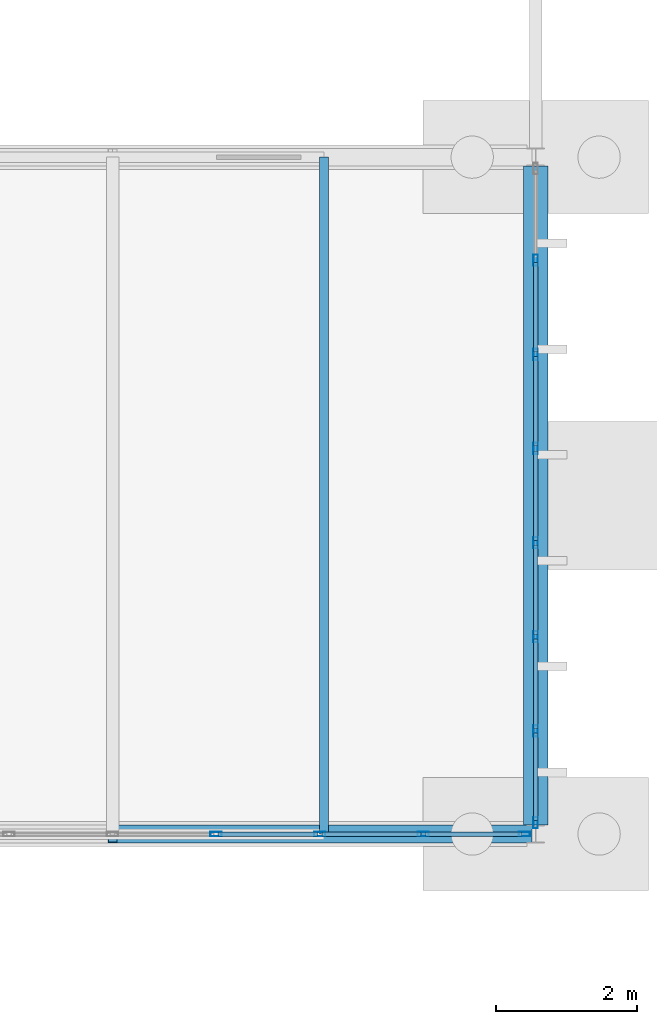
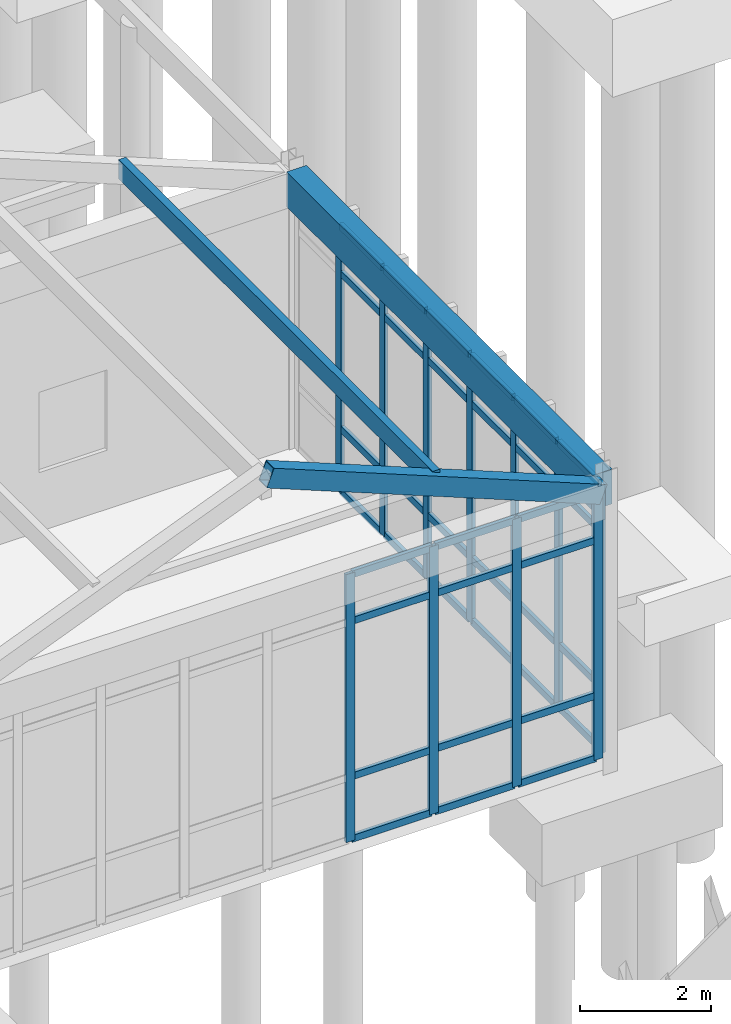
# One storey, part 47 of 188: 49 members, 1 beam, 2 elements without a shape of their own.
"""IFC4 building model written with IfcOpenShell, lengths in metres."""

import ifcopenshell
import ifcopenshell.guid

model = None  # the IFC model being written
_history = None  # IfcOwnerHistory: only IFC2X3 demands one
_inside = {}  # id of a spatial element -> (the spatial element, [elements in it])
_under = {}  # id of a project, library or spatial element -> (it, [spatial elements below it])
_declared = {}  # id of a project -> (the project, [libraries it declares])
_typed = {}  # id of a type object -> (the type object, [elements of that type])
_made_of = {}  # id of a material, layer set ... -> (it, [elements and type objects made of it])


def new_model(schema):
    """Start an empty IFC model of exactly this schema.

    Asked for "IFC4X3", IfcOpenShell would pick the latest addendum, in which some entities
    have other attributes; the version numbers below select the first issue.
    IFC2X3 requires an IfcOwnerHistory on every rooted entity: one is made here for all.
    """
    global model, _history
    if schema == "IFC4X3":
        model = ifcopenshell.file(schema_version=(4, 3, 0, 0))
    else:
        model = ifcopenshell.file(schema=schema)
    _inside.clear()
    _under.clear()
    _declared.clear()
    _typed.clear()
    _made_of.clear()
    _history = None
    if model.schema == "IFC2X3":
        org = make("IfcOrganization", Name="unknown")
        user = make(
            "IfcPersonAndOrganization",
            ThePerson=make("IfcPerson", FamilyName="unknown"),
            TheOrganization=org,
        )
        app = make(
            "IfcApplication",
            ApplicationDeveloper=org,
            Version="unknown",
            ApplicationFullName="unknown",
            ApplicationIdentifier="unknown",
        )
        _history = make(
            "IfcOwnerHistory",
            OwningUser=user,
            OwningApplication=app,
            ChangeAction="ADDED",
            CreationDate=0,
        )
    return model


def make(cls, **values):
    """One entity of the class cls with the attributes given. An attribute that is None is left unset."""
    return model.create_entity(
        cls, **{name: value for name, value in values.items() if value is not None}
    )


def rooted(cls, **values):
    """An entity with a GlobalId (a new one), such as an element, a storey or a relation."""
    return make(cls, GlobalId=ifcopenshell.guid.new(), OwnerHistory=_history, **values)


def si_unit(unit_type, name, prefix=None):
    """IfcSIUnit, for example si_unit("LENGTHUNIT", "METRE", prefix="MILLI")."""
    return make("IfcSIUnit", UnitType=unit_type, Prefix=prefix, Name=name)


def assignment(units):
    """IfcUnitAssignment: the units of a project."""
    return None if units is None else make("IfcUnitAssignment", Units=units)


def point(xyz):
    """IfcCartesianPoint."""
    return None if xyz is None else make("IfcCartesianPoint", Coordinates=xyz)


def direction(xyz):
    """IfcDirection."""
    return None if xyz is None else make("IfcDirection", DirectionRatios=xyz)


def frame(location, z_axis=None, x_axis=None):
    """IfcAxis2Placement3D, a coordinate frame: its origin and axes. An axis left out is left unset."""
    return make(
        "IfcAxis2Placement3D",
        Location=point(location),
        Axis=direction(z_axis),
        RefDirection=direction(x_axis),
    )


def frame_2d(location, x_axis=None):
    """IfcAxis2Placement2D, a coordinate frame in the plane: its origin and x axis."""
    return make(
        "IfcAxis2Placement2D", Location=point(location), RefDirection=direction(x_axis)
    )


def origin():
    """The frame at (0, 0, 0) with its axes left unset."""
    return frame((0.0, 0.0, 0.0))


def origin_2d():
    """The frame at (0, 0) in the plane with its x axis left unset."""
    return frame_2d((0.0, 0.0))


def place(relative_to, where):
    """IfcLocalPlacement: puts the frame where relative to a parent placement (None: the world)."""
    return make(
        "IfcLocalPlacement", PlacementRelTo=relative_to, RelativePlacement=where
    )


def context(
    kind, dimensions, precision=None, world=None, true_north=None, identifier=None
):
    """IfcGeometricRepresentationContext, for example the 3D "Model" context."""
    return make(
        "IfcGeometricRepresentationContext",
        ContextIdentifier=identifier,
        ContextType=kind,
        CoordinateSpaceDimension=dimensions,
        Precision=precision,
        WorldCoordinateSystem=world,
        TrueNorth=true_north,
    )


def subcontext(parent, identifier, kind, view, scale=None):
    """IfcGeometricRepresentationSubContext, for example "Body" below "Model"."""
    return make(
        "IfcGeometricRepresentationSubContext",
        ContextIdentifier=identifier,
        ContextType=kind,
        ParentContext=parent,
        TargetScale=scale,
        TargetView=view,
    )


def project(units=None, contexts=None):
    """IfcProject with its units and contexts."""
    return rooted(
        "IfcProject",
        Name="project",
        RepresentationContexts=contexts,
        UnitsInContext=assignment(units),
    )


def spatial(cls, under=None, at=None, **own):
    """A site, building, storey or space (cls), placed at a placement, below another one or the project."""
    s = rooted(cls, ObjectPlacement=at, **own)
    if under is not None:
        _under.setdefault(under.id(), (under, []))[1].append(s)
    return s


def profile(cls, at=None, kind="AREA", **sizes):
    """A parametric profile (cls). Its sizes go by their IFC names, for example OverallWidth=200.0."""
    return make(cls, ProfileType=kind, Position=at, **sizes)


def rectangle(**sizes):
    """IfcRectangleProfileDef."""
    return profile("IfcRectangleProfileDef", **sizes)


def hollow_rectangle(**sizes):
    """IfcRectangleHollowProfileDef."""
    return profile("IfcRectangleHollowProfileDef", **sizes)


def extrude(swept, where, along, depth):
    """IfcExtrudedAreaSolid: the profile swept, set in the frame where, extruded along a direction by depth."""
    return make(
        "IfcExtrudedAreaSolid",
        SweptArea=swept,
        Position=where,
        ExtrudedDirection=direction(along),
        Depth=depth,
    )


def shape(context_of_items, identifier, shape_type, items):
    """IfcShapeRepresentation: the items that make up one representation, for example the "Body"."""
    return make(
        "IfcShapeRepresentation",
        ContextOfItems=context_of_items,
        RepresentationIdentifier=identifier,
        RepresentationType=shape_type,
        Items=items,
    )


def material(Name=None, Category=None):
    """IfcMaterial."""
    return make("IfcMaterial", Name=Name, Category=Category)


def layer(
    of_material, thickness, ventilated=None, Name=None, Category=None, Priority=None
):
    """IfcMaterialLayer: one layer of a wall or slab, of a material (None: an air gap)."""
    return make(
        "IfcMaterialLayer",
        Material=of_material,
        LayerThickness=thickness,
        IsVentilated=ventilated,
        Name=Name,
        Category=Category,
        Priority=Priority,
    )


def layer_set(layers, Name=None):
    """IfcMaterialLayerSet."""
    return make("IfcMaterialLayerSet", MaterialLayers=layers, LayerSetName=Name)


def material_profile(
    of_material, cross_section, Name=None, Category=None, Priority=None
):
    """IfcMaterialProfile: a cross section and its material."""
    return make(
        "IfcMaterialProfile",
        Name=Name,
        Material=of_material,
        Profile=cross_section,
        Priority=Priority,
        Category=Category,
    )


def profile_set(profiles, Name=None, composite=None):
    """IfcMaterialProfileSet."""
    return make(
        "IfcMaterialProfileSet",
        Name=Name,
        MaterialProfiles=profiles,
        CompositeProfile=composite,
    )


def made_of(thing, what):
    """Note that an element or type object is made of a material, layer set ...; save() writes the relation."""
    if what is not None:
        _made_of.setdefault(what.id(), (what, []))[1].append(thing)
    return thing


def type_object(cls, material=None, **own):
    """A type object (cls), such as IfcWallType, which elements share."""
    return made_of(rooted(cls, **own), material)


def element(
    cls,
    number,
    at=None,
    inside=None,
    cuts=None,
    type_object=None,
    material=None,
    context=None,
    identifier="Body",
    shape_type=None,
    held_by="IfcProductDefinitionShape",
    body=None,
    shapes=None,
    **own,
):
    """One element of the class cls, such as IfcWall. Its Tag is "e" and its number.

    at: its placement. inside: the storey or other place that contains it. cuts: it is an
    opening in that element (IfcRelVoidsElement). A single representation is given by context,
    identifier, shape_type and body (its items); several are given by shapes. held_by: the class
    of the entity that holds the representations. save() writes the other relations.
    """
    e = rooted(cls, Tag="e%d" % number, ObjectPlacement=at, **own)
    if body is not None:
        shapes = [shape(context, identifier, shape_type, body)]
    if shapes is not None:
        e.Representation = make(held_by, Representations=shapes)
    if inside is not None:
        _inside.setdefault(inside.id(), (inside, []))[1].append(e)
    if cuts is not None:
        rooted(
            "IfcRelVoidsElement", RelatingBuildingElement=cuts, RelatedOpeningElement=e
        )
    if type_object is not None:
        _typed.setdefault(type_object.id(), (type_object, []))[1].append(e)
    return made_of(e, material)


def aggregate(whole, parts):
    """IfcRelAggregates: a whole, such as a stair, and the parts it consists of."""
    return rooted("IfcRelAggregates", RelatingObject=whole, RelatedObjects=parts)


def save(model, path):
    """Write the relations noted so far, then the file.

    IfcRelAggregates (storeys below a building ...), IfcRelContainedInSpatialStructure (elements
    in a storey), IfcRelDefinesByType, IfcRelAssociatesMaterial and IfcRelDeclares: one each for
    every whole, place, type object, material and project.
    """
    for whole, parts in _under.values():
        aggregate(whole, parts)
    for where, things in _inside.values():
        rooted(
            "IfcRelContainedInSpatialStructure",
            RelatedElements=things,
            RelatingStructure=where,
        )
    for kind, things in _typed.values():
        rooted("IfcRelDefinesByType", RelatedObjects=things, RelatingType=kind)
    for what, things in _made_of.values():
        rooted("IfcRelAssociatesMaterial", RelatedObjects=things, RelatingMaterial=what)
    for by, libraries in _declared.values():
        rooted("IfcRelDeclares", RelatingContext=by, RelatedDefinitions=libraries)
    model.write(path)


model = new_model("IFC4")

# Units and contexts
model_context = context("Model", 3, precision=1e-05, world=origin(), true_north=direction((0.0, 1.0)))
body_context = subcontext(model_context, "Body", "Model", "MODEL_VIEW")
ifc_project = project(units=[si_unit("LENGTHUNIT", "METRE"), si_unit("AREAUNIT", "SQUARE_METRE"), si_unit("VOLUMEUNIT", "CUBIC_METRE"), si_unit("PLANEANGLEUNIT", "RADIAN"), si_unit("MASSUNIT", "GRAM", prefix="KILO")], contexts=[model_context])

# Site, building, storey
site_placement = place(None, origin())
site = spatial("IfcSite", under=ifc_project, at=site_placement, CompositionType="ELEMENT")
building_placement = place(site_placement, origin())
building = spatial("IfcBuilding", under=site, at=building_placement, Name="Pandanus Reach Market Hall", CompositionType="ELEMENT")
storey_placement = place(building_placement, origin())
storey = spatial("IfcBuildingStorey", under=building, at=storey_placement, Name="L00", CompositionType="ELEMENT", Elevation=0.0)

# Beam
ifc_material_1 = material(Name="Concrete N40 (40 MPa)", Category="concrete")
ifc_material_profile_1 = material_profile(ifc_material_1, rectangle(XDim=0.35009765625, YDim=0.64990234375, at=origin_2d()), Name="RC350x650", Category="LoadBearing")
ifc_profile_set_1 = profile_set([ifc_material_profile_1], Name="Concrete N40 (40 MPa)")
beam_type = type_object("IfcBeamType", Name="BM-RC350-E", PredefinedType="SPANDREL", material=ifc_profile_set_1)
beam_placement = place(storey_placement, frame((36.0, 38.52490234375, 4.8798828125), z_axis=(0.0, 1.0, 0.0), x_axis=(-1.0, 0.0, 0.0)))
element("IfcBeam", 1, at=beam_placement, inside=storey, type_object=beam_type, Name="Framing beam BM-RC350-E L00.1159", PredefinedType="SPANDREL", context=body_context, shape_type="SweptSolid", body=[
    extrude(rectangle(XDim=0.35009765625, YDim=0.64990234375, at=origin_2d()), origin(), (0.0, 0.0, 1.0), 9.35009765625),
])

# Curtain wall, members
ifc_material_2 = material(Name="Bronze anodised aluminium and low-E glass", Category="aluminium")
ifc_layer_1 = layer(ifc_material_2, 0.159912109375, Name="CW-07")
ifc_layer_set_1 = layer_set([ifc_layer_1], Name="Bronze anodised aluminium and low-E glass")
curtain_wall_type_1 = type_object("IfcCurtainWallType", Name="CW-07", PredefinedType="NOTDEFINED", material=ifc_layer_set_1)
curtain_wall_1_placement = place(storey_placement, origin())
curtain_wall_1 = element("IfcCurtainWall", 2, at=curtain_wall_1_placement, inside=storey, type_object=curtain_wall_type_1, Name="Glazed curtain wall CW-07 CW-0039", PredefinedType="NOTDEFINED")
ifc_material_3 = material(Name="Bronze anodised aluminium", Category="aluminium")
ifc_material_profile_2 = material_profile(ifc_material_3, hollow_rectangle(XDim=0.06494140625, YDim=0.159912109375, WallThickness=0.00390625, at=origin_2d()), Name="ALU65x160", Category="LoadBearing")
ifc_profile_set_2 = profile_set([ifc_material_profile_2], Name="Bronze anodised aluminium")
member_type_1 = type_object("IfcMemberType", Name="CW-M1", PredefinedType="MULLION", material=ifc_profile_set_2)
member_1_placement = place(storey_placement, frame((31.46826171875, 38.39990234375, 0.0), z_axis=(0.0, 0.0, 1.0), x_axis=(0.0, 1.0, 0.0)))
member_1 = element("IfcMember", 3, at=member_1_placement, type_object=member_type_1, Name="CW-07 mullion 6", PredefinedType="MULLION", context=body_context, shape_type="SweptSolid", body=[
    extrude(hollow_rectangle(XDim=0.06494140625, YDim=0.159912109375, WallThickness=0.00390625, at=origin_2d()), origin(), (0.0, 0.0, 1.0), 5.0),
])
member_2_placement = place(storey_placement, frame((32.9365234375, 38.39990234375, 0.0), z_axis=(0.0, 0.0, 1.0), x_axis=(0.0, 1.0, 0.0)))
member_2 = element("IfcMember", 4, at=member_2_placement, type_object=member_type_1, Name="CW-07 mullion 7", PredefinedType="MULLION", context=body_context, shape_type="SweptSolid", body=[
    extrude(hollow_rectangle(XDim=0.06494140625, YDim=0.159912109375, WallThickness=0.00390625, at=origin_2d()), origin(), (0.0, 0.0, 1.0), 5.0),
])
member_3_placement = place(storey_placement, frame((34.40478515625, 38.39990234375, 0.0), z_axis=(0.0, 0.0, 1.0), x_axis=(0.0, 1.0, 0.0)))
member_3 = element("IfcMember", 5, at=member_3_placement, type_object=member_type_1, Name="CW-07 mullion 8", PredefinedType="MULLION", context=body_context, shape_type="SweptSolid", body=[
    extrude(hollow_rectangle(XDim=0.06494140625, YDim=0.159912109375, WallThickness=0.00390625, at=origin_2d()), origin(), (0.0, 0.0, 1.0), 5.0),
])
member_4_placement = place(storey_placement, frame((35.840576171875, 38.39990234375, 0.0), z_axis=(0.0, 0.0, 1.0), x_axis=(0.0, 1.0, 0.0)))
member_4 = element("IfcMember", 6, at=member_4_placement, type_object=member_type_1, Name="CW-07 mullion 9", PredefinedType="MULLION", context=body_context, shape_type="SweptSolid", body=[
    extrude(hollow_rectangle(XDim=0.06494140625, YDim=0.159912109375, WallThickness=0.00390625, at=origin_2d()), origin(), (0.0, 0.0, 1.0), 5.0),
])

ifc_layer_2 = layer(ifc_material_2, 0.159912109375, Name="CW-08")
ifc_layer_set_2 = layer_set([ifc_layer_2], Name="Bronze anodised aluminium and low-E glass")
curtain_wall_type_2 = type_object("IfcCurtainWallType", Name="CW-08", PredefinedType="NOTDEFINED", material=ifc_layer_set_2)
curtain_wall_2_placement = place(storey_placement, origin())
curtain_wall_2 = element("IfcCurtainWall", 7, at=curtain_wall_2_placement, inside=storey, type_object=curtain_wall_type_2, Name="Glazed curtain wall CW-08 CW-0040", PredefinedType="NOTDEFINED")
member_5_placement = place(storey_placement, frame((36.0, 38.5595703125, 0.0), z_axis=(0.0, 0.0, 1.0), x_axis=(-1.0, 0.0, 0.0)))
member_5 = element("IfcMember", 8, at=member_5_placement, type_object=member_type_1, Name="CW-08 mullion 1", PredefinedType="MULLION", context=body_context, shape_type="SweptSolid", body=[
    extrude(hollow_rectangle(XDim=0.06494140625, YDim=0.159912109375, WallThickness=0.00390625, at=origin_2d()), origin(), (0.0, 0.0, 1.0), 5.0),
])
member_6_placement = place(storey_placement, frame((36.0, 39.862060546875, 0.0), z_axis=(0.0, 0.0, 1.0), x_axis=(-1.0, 0.0, 0.0)))
member_6 = element("IfcMember", 9, at=member_6_placement, type_object=member_type_1, Name="CW-08 mullion 2", PredefinedType="MULLION", context=body_context, shape_type="SweptSolid", body=[
    extrude(hollow_rectangle(XDim=0.06494140625, YDim=0.159912109375, WallThickness=0.00390625, at=origin_2d()), origin(), (0.0, 0.0, 1.0), 5.0),
])
member_7_placement = place(storey_placement, frame((36.0, 41.197265625, 0.0), z_axis=(0.0, 0.0, 1.0), x_axis=(-1.0, 0.0, 0.0)))
member_7 = element("IfcMember", 10, at=member_7_placement, type_object=member_type_1, Name="CW-08 mullion 3", PredefinedType="MULLION", context=body_context, shape_type="SweptSolid", body=[
    extrude(hollow_rectangle(XDim=0.06494140625, YDim=0.159912109375, WallThickness=0.00390625, at=origin_2d()), origin(), (0.0, 0.0, 1.0), 5.0),
])
member_8_placement = place(storey_placement, frame((36.0, 42.532470703125, 0.0), z_axis=(0.0, 0.0, 1.0), x_axis=(-1.0, 0.0, 0.0)))
member_8 = element("IfcMember", 11, at=member_8_placement, type_object=member_type_1, Name="CW-08 mullion 4", PredefinedType="MULLION", context=body_context, shape_type="SweptSolid", body=[
    extrude(hollow_rectangle(XDim=0.06494140625, YDim=0.159912109375, WallThickness=0.00390625, at=origin_2d()), origin(), (0.0, 0.0, 1.0), 5.0),
])
member_9_placement = place(storey_placement, frame((36.0, 43.86767578125, 0.0), z_axis=(0.0, 0.0, 1.0), x_axis=(-1.0, 0.0, 0.0)))
member_9 = element("IfcMember", 12, at=member_9_placement, type_object=member_type_1, Name="CW-08 mullion 5", PredefinedType="MULLION", context=body_context, shape_type="SweptSolid", body=[
    extrude(hollow_rectangle(XDim=0.06494140625, YDim=0.159912109375, WallThickness=0.00390625, at=origin_2d()), origin(), (0.0, 0.0, 1.0), 5.0),
])
member_10_placement = place(storey_placement, frame((36.0, 45.20263671875, 0.0), z_axis=(0.0, 0.0, 1.0), x_axis=(-1.0, 0.0, 0.0)))
member_10 = element("IfcMember", 13, at=member_10_placement, type_object=member_type_1, Name="CW-08 mullion 6", PredefinedType="MULLION", context=body_context, shape_type="SweptSolid", body=[
    extrude(hollow_rectangle(XDim=0.06494140625, YDim=0.159912109375, WallThickness=0.00390625, at=origin_2d()), origin(), (0.0, 0.0, 1.0), 5.0),
])
member_11_placement = place(storey_placement, frame((36.0, 46.537841796875, 0.0), z_axis=(0.0, 0.0, 1.0), x_axis=(-1.0, 0.0, 0.0)))
member_11 = element("IfcMember", 14, at=member_11_placement, type_object=member_type_1, Name="CW-08 mullion 7", PredefinedType="MULLION", context=body_context, shape_type="SweptSolid", body=[
    extrude(hollow_rectangle(XDim=0.06494140625, YDim=0.159912109375, WallThickness=0.00390625, at=origin_2d()), origin(), (0.0, 0.0, 1.0), 5.0),
])

# Member
ifc_material_profile_3 = material_profile(ifc_material_3, hollow_rectangle(XDim=0.06494140625, YDim=0.1298828125, WallThickness=0.00390625, at=origin_2d()), Name="ALU65x130", Category="LoadBearing")
ifc_profile_set_3 = profile_set([ifc_material_profile_3], Name="Bronze anodised aluminium")
member_type_2 = type_object("IfcMemberType", Name="CW-T1", PredefinedType="USERDEFINED", material=ifc_profile_set_3)
member_12_placement = place(storey_placement, frame((31.500732421875, 38.39990234375, 0.032470703125), z_axis=(1.0, 0.0, 0.0), x_axis=(0.0, 1.0, 0.0)))
member_12 = element("IfcMember", 15, at=member_12_placement, type_object=member_type_2, Name="CW-07 transom 6.1", ObjectType="TRANSOM", PredefinedType="USERDEFINED", context=body_context, shape_type="SweptSolid", body=[
    extrude(hollow_rectangle(XDim=0.06494140625, YDim=0.1298828125, WallThickness=0.00390625, at=origin_2d()), origin(), (0.0, 0.0, 1.0), 1.4033203125),
])

member_13_placement = place(storey_placement, frame((31.500732421875, 38.39990234375, 1.199951171875), z_axis=(1.0, 0.0, 0.0), x_axis=(0.0, 1.0, 0.0)))
member_13 = element("IfcMember", 16, at=member_13_placement, type_object=member_type_2, Name="CW-07 transom 6.2", ObjectType="TRANSOM", PredefinedType="USERDEFINED", context=body_context, shape_type="SweptSolid", body=[
    extrude(hollow_rectangle(XDim=0.06494140625, YDim=0.1298828125, WallThickness=0.00390625, at=origin_2d()), origin(), (0.0, 0.0, 1.0), 1.4033203125),
])

member_14_placement = place(storey_placement, frame((31.500732421875, 38.39990234375, 4.10009765625), z_axis=(1.0, 0.0, 0.0), x_axis=(0.0, 1.0, 0.0)))
member_14 = element("IfcMember", 17, at=member_14_placement, type_object=member_type_2, Name="CW-07 transom 6.3", ObjectType="TRANSOM", PredefinedType="USERDEFINED", context=body_context, shape_type="SweptSolid", body=[
    extrude(hollow_rectangle(XDim=0.06494140625, YDim=0.1298828125, WallThickness=0.00390625, at=origin_2d()), origin(), (0.0, 0.0, 1.0), 1.4033203125),
])

member_15_placement = place(storey_placement, frame((31.500732421875, 38.39990234375, 4.967529296875), z_axis=(1.0, 0.0, 0.0), x_axis=(0.0, 1.0, 0.0)))
member_15 = element("IfcMember", 18, at=member_15_placement, type_object=member_type_2, Name="CW-07 transom 6.4", ObjectType="TRANSOM", PredefinedType="USERDEFINED", context=body_context, shape_type="SweptSolid", body=[
    extrude(hollow_rectangle(XDim=0.06494140625, YDim=0.1298828125, WallThickness=0.00390625, at=origin_2d()), origin(), (0.0, 0.0, 1.0), 1.4033203125),
])

member_16_placement = place(storey_placement, frame((32.968994140625, 38.39990234375, 0.032470703125), z_axis=(1.0, 0.0, 0.0), x_axis=(0.0, 1.0, 0.0)))
member_16 = element("IfcMember", 19, at=member_16_placement, type_object=member_type_2, Name="CW-07 transom 7.1", ObjectType="TRANSOM", PredefinedType="USERDEFINED", context=body_context, shape_type="SweptSolid", body=[
    extrude(hollow_rectangle(XDim=0.06494140625, YDim=0.1298828125, WallThickness=0.00390625, at=origin_2d()), origin(), (0.0, 0.0, 1.0), 1.4033203125),
])

member_17_placement = place(storey_placement, frame((32.968994140625, 38.39990234375, 1.199951171875), z_axis=(1.0, 0.0, 0.0), x_axis=(0.0, 1.0, 0.0)))
member_17 = element("IfcMember", 20, at=member_17_placement, type_object=member_type_2, Name="CW-07 transom 7.2", ObjectType="TRANSOM", PredefinedType="USERDEFINED", context=body_context, shape_type="SweptSolid", body=[
    extrude(hollow_rectangle(XDim=0.06494140625, YDim=0.1298828125, WallThickness=0.00390625, at=origin_2d()), origin(), (0.0, 0.0, 1.0), 1.4033203125),
])

member_18_placement = place(storey_placement, frame((32.968994140625, 38.39990234375, 4.10009765625), z_axis=(1.0, 0.0, 0.0), x_axis=(0.0, 1.0, 0.0)))
member_18 = element("IfcMember", 21, at=member_18_placement, type_object=member_type_2, Name="CW-07 transom 7.3", ObjectType="TRANSOM", PredefinedType="USERDEFINED", context=body_context, shape_type="SweptSolid", body=[
    extrude(hollow_rectangle(XDim=0.06494140625, YDim=0.1298828125, WallThickness=0.00390625, at=origin_2d()), origin(), (0.0, 0.0, 1.0), 1.4033203125),
])

member_19_placement = place(storey_placement, frame((32.968994140625, 38.39990234375, 4.967529296875), z_axis=(1.0, 0.0, 0.0), x_axis=(0.0, 1.0, 0.0)))
member_19 = element("IfcMember", 22, at=member_19_placement, type_object=member_type_2, Name="CW-07 transom 7.4", ObjectType="TRANSOM", PredefinedType="USERDEFINED", context=body_context, shape_type="SweptSolid", body=[
    extrude(hollow_rectangle(XDim=0.06494140625, YDim=0.1298828125, WallThickness=0.00390625, at=origin_2d()), origin(), (0.0, 0.0, 1.0), 1.4033203125),
])

member_20_placement = place(storey_placement, frame((34.437255859375, 38.39990234375, 0.032470703125), z_axis=(1.0, 0.0, 0.0), x_axis=(0.0, 1.0, 0.0)))
member_20 = element("IfcMember", 23, at=member_20_placement, type_object=member_type_2, Name="CW-07 transom 8.1", ObjectType="TRANSOM", PredefinedType="USERDEFINED", context=body_context, shape_type="SweptSolid", body=[
    extrude(hollow_rectangle(XDim=0.06494140625, YDim=0.1298828125, WallThickness=0.00390625, at=origin_2d()), origin(), (0.0, 0.0, 1.0), 1.370849609375),
])

member_21_placement = place(storey_placement, frame((34.437255859375, 38.39990234375, 1.199951171875), z_axis=(1.0, 0.0, 0.0), x_axis=(0.0, 1.0, 0.0)))
member_21 = element("IfcMember", 24, at=member_21_placement, type_object=member_type_2, Name="CW-07 transom 8.2", ObjectType="TRANSOM", PredefinedType="USERDEFINED", context=body_context, shape_type="SweptSolid", body=[
    extrude(hollow_rectangle(XDim=0.06494140625, YDim=0.1298828125, WallThickness=0.00390625, at=origin_2d()), origin(), (0.0, 0.0, 1.0), 1.370849609375),
])

member_22_placement = place(storey_placement, frame((34.437255859375, 38.39990234375, 4.10009765625), z_axis=(1.0, 0.0, 0.0), x_axis=(0.0, 1.0, 0.0)))
member_22 = element("IfcMember", 25, at=member_22_placement, type_object=member_type_2, Name="CW-07 transom 8.3", ObjectType="TRANSOM", PredefinedType="USERDEFINED", context=body_context, shape_type="SweptSolid", body=[
    extrude(hollow_rectangle(XDim=0.06494140625, YDim=0.1298828125, WallThickness=0.00390625, at=origin_2d()), origin(), (0.0, 0.0, 1.0), 1.370849609375),
])

member_23_placement = place(storey_placement, frame((34.437255859375, 38.39990234375, 4.967529296875), z_axis=(1.0, 0.0, 0.0), x_axis=(0.0, 1.0, 0.0)))
member_23 = element("IfcMember", 26, at=member_23_placement, type_object=member_type_2, Name="CW-07 transom 8.4", ObjectType="TRANSOM", PredefinedType="USERDEFINED", context=body_context, shape_type="SweptSolid", body=[
    extrude(hollow_rectangle(XDim=0.06494140625, YDim=0.1298828125, WallThickness=0.00390625, at=origin_2d()), origin(), (0.0, 0.0, 1.0), 1.370849609375),
])

aggregate(curtain_wall_1, [member_1, member_2, member_3, member_4, member_12, member_13, member_14, member_15, member_16, member_17, member_18, member_19, member_20, member_21, member_22, member_23])

member_24_placement = place(storey_placement, frame((36.0, 38.592041015625, 0.032470703125), z_axis=(0.0, 1.0, 0.0), x_axis=(-1.0, 0.0, 0.0)))
member_24 = element("IfcMember", 27, at=member_24_placement, type_object=member_type_2, Name="CW-08 transom 1.1", ObjectType="TRANSOM", PredefinedType="USERDEFINED", context=body_context, shape_type="SweptSolid", body=[
    extrude(hollow_rectangle(XDim=0.06494140625, YDim=0.1298828125, WallThickness=0.00390625, at=origin_2d()), origin(), (0.0, 0.0, 1.0), 1.237548828125),
])

member_25_placement = place(storey_placement, frame((36.0, 38.592041015625, 1.199951171875), z_axis=(0.0, 1.0, 0.0), x_axis=(-1.0, 0.0, 0.0)))
member_25 = element("IfcMember", 28, at=member_25_placement, type_object=member_type_2, Name="CW-08 transom 1.2", ObjectType="TRANSOM", PredefinedType="USERDEFINED", context=body_context, shape_type="SweptSolid", body=[
    extrude(hollow_rectangle(XDim=0.06494140625, YDim=0.1298828125, WallThickness=0.00390625, at=origin_2d()), origin(), (0.0, 0.0, 1.0), 1.237548828125),
])

member_26_placement = place(storey_placement, frame((36.0, 38.592041015625, 4.10009765625), z_axis=(0.0, 1.0, 0.0), x_axis=(-1.0, 0.0, 0.0)))
member_26 = element("IfcMember", 29, at=member_26_placement, type_object=member_type_2, Name="CW-08 transom 1.3", ObjectType="TRANSOM", PredefinedType="USERDEFINED", context=body_context, shape_type="SweptSolid", body=[
    extrude(hollow_rectangle(XDim=0.06494140625, YDim=0.1298828125, WallThickness=0.00390625, at=origin_2d()), origin(), (0.0, 0.0, 1.0), 1.237548828125),
])

member_27_placement = place(storey_placement, frame((36.0, 38.592041015625, 4.967529296875), z_axis=(0.0, 1.0, 0.0), x_axis=(-1.0, 0.0, 0.0)))
member_27 = element("IfcMember", 30, at=member_27_placement, type_object=member_type_2, Name="CW-08 transom 1.4", ObjectType="TRANSOM", PredefinedType="USERDEFINED", context=body_context, shape_type="SweptSolid", body=[
    extrude(hollow_rectangle(XDim=0.06494140625, YDim=0.1298828125, WallThickness=0.00390625, at=origin_2d()), origin(), (0.0, 0.0, 1.0), 1.237548828125),
])

member_28_placement = place(storey_placement, frame((36.0, 39.89453125, 0.032470703125), z_axis=(0.0, 1.0, 0.0), x_axis=(-1.0, 0.0, 0.0)))
member_28 = element("IfcMember", 31, at=member_28_placement, type_object=member_type_2, Name="CW-08 transom 2.1", ObjectType="TRANSOM", PredefinedType="USERDEFINED", context=body_context, shape_type="SweptSolid", body=[
    extrude(hollow_rectangle(XDim=0.06494140625, YDim=0.1298828125, WallThickness=0.00390625, at=origin_2d()), origin(), (0.0, 0.0, 1.0), 1.270263671875),
])

member_29_placement = place(storey_placement, frame((36.0, 39.89453125, 1.199951171875), z_axis=(0.0, 1.0, 0.0), x_axis=(-1.0, 0.0, 0.0)))
member_29 = element("IfcMember", 32, at=member_29_placement, type_object=member_type_2, Name="CW-08 transom 2.2", ObjectType="TRANSOM", PredefinedType="USERDEFINED", context=body_context, shape_type="SweptSolid", body=[
    extrude(hollow_rectangle(XDim=0.06494140625, YDim=0.1298828125, WallThickness=0.00390625, at=origin_2d()), origin(), (0.0, 0.0, 1.0), 1.270263671875),
])

member_30_placement = place(storey_placement, frame((36.0, 39.89453125, 4.10009765625), z_axis=(0.0, 1.0, 0.0), x_axis=(-1.0, 0.0, 0.0)))
member_30 = element("IfcMember", 33, at=member_30_placement, type_object=member_type_2, Name="CW-08 transom 2.3", ObjectType="TRANSOM", PredefinedType="USERDEFINED", context=body_context, shape_type="SweptSolid", body=[
    extrude(hollow_rectangle(XDim=0.06494140625, YDim=0.1298828125, WallThickness=0.00390625, at=origin_2d()), origin(), (0.0, 0.0, 1.0), 1.270263671875),
])

member_31_placement = place(storey_placement, frame((36.0, 39.89453125, 4.967529296875), z_axis=(0.0, 1.0, 0.0), x_axis=(-1.0, 0.0, 0.0)))
member_31 = element("IfcMember", 34, at=member_31_placement, type_object=member_type_2, Name="CW-08 transom 2.4", ObjectType="TRANSOM", PredefinedType="USERDEFINED", context=body_context, shape_type="SweptSolid", body=[
    extrude(hollow_rectangle(XDim=0.06494140625, YDim=0.1298828125, WallThickness=0.00390625, at=origin_2d()), origin(), (0.0, 0.0, 1.0), 1.270263671875),
])

member_32_placement = place(storey_placement, frame((36.0, 41.229736328125, 0.032470703125), z_axis=(0.0, 1.0, 0.0), x_axis=(-1.0, 0.0, 0.0)))
member_32 = element("IfcMember", 35, at=member_32_placement, type_object=member_type_2, Name="CW-08 transom 3.1", ObjectType="TRANSOM", PredefinedType="USERDEFINED", context=body_context, shape_type="SweptSolid", body=[
    extrude(hollow_rectangle(XDim=0.06494140625, YDim=0.1298828125, WallThickness=0.00390625, at=origin_2d()), origin(), (0.0, 0.0, 1.0), 1.270263671875),
])

member_33_placement = place(storey_placement, frame((36.0, 41.229736328125, 1.199951171875), z_axis=(0.0, 1.0, 0.0), x_axis=(-1.0, 0.0, 0.0)))
member_33 = element("IfcMember", 36, at=member_33_placement, type_object=member_type_2, Name="CW-08 transom 3.2", ObjectType="TRANSOM", PredefinedType="USERDEFINED", context=body_context, shape_type="SweptSolid", body=[
    extrude(hollow_rectangle(XDim=0.06494140625, YDim=0.1298828125, WallThickness=0.00390625, at=origin_2d()), origin(), (0.0, 0.0, 1.0), 1.270263671875),
])

member_34_placement = place(storey_placement, frame((36.0, 41.229736328125, 4.10009765625), z_axis=(0.0, 1.0, 0.0), x_axis=(-1.0, 0.0, 0.0)))
member_34 = element("IfcMember", 37, at=member_34_placement, type_object=member_type_2, Name="CW-08 transom 3.3", ObjectType="TRANSOM", PredefinedType="USERDEFINED", context=body_context, shape_type="SweptSolid", body=[
    extrude(hollow_rectangle(XDim=0.06494140625, YDim=0.1298828125, WallThickness=0.00390625, at=origin_2d()), origin(), (0.0, 0.0, 1.0), 1.270263671875),
])

member_35_placement = place(storey_placement, frame((36.0, 41.229736328125, 4.967529296875), z_axis=(0.0, 1.0, 0.0), x_axis=(-1.0, 0.0, 0.0)))
member_35 = element("IfcMember", 38, at=member_35_placement, type_object=member_type_2, Name="CW-08 transom 3.4", ObjectType="TRANSOM", PredefinedType="USERDEFINED", context=body_context, shape_type="SweptSolid", body=[
    extrude(hollow_rectangle(XDim=0.06494140625, YDim=0.1298828125, WallThickness=0.00390625, at=origin_2d()), origin(), (0.0, 0.0, 1.0), 1.270263671875),
])

member_36_placement = place(storey_placement, frame((36.0, 42.56494140625, 0.032470703125), z_axis=(0.0, 1.0, 0.0), x_axis=(-1.0, 0.0, 0.0)))
member_36 = element("IfcMember", 39, at=member_36_placement, type_object=member_type_2, Name="CW-08 transom 4.1", ObjectType="TRANSOM", PredefinedType="USERDEFINED", context=body_context, shape_type="SweptSolid", body=[
    extrude(hollow_rectangle(XDim=0.06494140625, YDim=0.1298828125, WallThickness=0.00390625, at=origin_2d()), origin(), (0.0, 0.0, 1.0), 1.27001953125),
])

member_37_placement = place(storey_placement, frame((36.0, 42.56494140625, 1.199951171875), z_axis=(0.0, 1.0, 0.0), x_axis=(-1.0, 0.0, 0.0)))
member_37 = element("IfcMember", 40, at=member_37_placement, type_object=member_type_2, Name="CW-08 transom 4.2", ObjectType="TRANSOM", PredefinedType="USERDEFINED", context=body_context, shape_type="SweptSolid", body=[
    extrude(hollow_rectangle(XDim=0.06494140625, YDim=0.1298828125, WallThickness=0.00390625, at=origin_2d()), origin(), (0.0, 0.0, 1.0), 1.27001953125),
])

member_38_placement = place(storey_placement, frame((36.0, 42.56494140625, 4.10009765625), z_axis=(0.0, 1.0, 0.0), x_axis=(-1.0, 0.0, 0.0)))
member_38 = element("IfcMember", 41, at=member_38_placement, type_object=member_type_2, Name="CW-08 transom 4.3", ObjectType="TRANSOM", PredefinedType="USERDEFINED", context=body_context, shape_type="SweptSolid", body=[
    extrude(hollow_rectangle(XDim=0.06494140625, YDim=0.1298828125, WallThickness=0.00390625, at=origin_2d()), origin(), (0.0, 0.0, 1.0), 1.27001953125),
])

member_39_placement = place(storey_placement, frame((36.0, 42.56494140625, 4.967529296875), z_axis=(0.0, 1.0, 0.0), x_axis=(-1.0, 0.0, 0.0)))
member_39 = element("IfcMember", 42, at=member_39_placement, type_object=member_type_2, Name="CW-08 transom 4.4", ObjectType="TRANSOM", PredefinedType="USERDEFINED", context=body_context, shape_type="SweptSolid", body=[
    extrude(hollow_rectangle(XDim=0.06494140625, YDim=0.1298828125, WallThickness=0.00390625, at=origin_2d()), origin(), (0.0, 0.0, 1.0), 1.27001953125),
])

member_40_placement = place(storey_placement, frame((36.0, 43.900146484375, 0.032470703125), z_axis=(0.0, 1.0, 0.0), x_axis=(-1.0, 0.0, 0.0)))
member_40 = element("IfcMember", 43, at=member_40_placement, type_object=member_type_2, Name="CW-08 transom 5.1", ObjectType="TRANSOM", PredefinedType="USERDEFINED", context=body_context, shape_type="SweptSolid", body=[
    extrude(hollow_rectangle(XDim=0.06494140625, YDim=0.1298828125, WallThickness=0.00390625, at=origin_2d()), origin(), (0.0, 0.0, 1.0), 1.27001953125),
])

member_41_placement = place(storey_placement, frame((36.0, 43.900146484375, 1.199951171875), z_axis=(0.0, 1.0, 0.0), x_axis=(-1.0, 0.0, 0.0)))
member_41 = element("IfcMember", 44, at=member_41_placement, type_object=member_type_2, Name="CW-08 transom 5.2", ObjectType="TRANSOM", PredefinedType="USERDEFINED", context=body_context, shape_type="SweptSolid", body=[
    extrude(hollow_rectangle(XDim=0.06494140625, YDim=0.1298828125, WallThickness=0.00390625, at=origin_2d()), origin(), (0.0, 0.0, 1.0), 1.27001953125),
])

member_42_placement = place(storey_placement, frame((36.0, 43.900146484375, 4.10009765625), z_axis=(0.0, 1.0, 0.0), x_axis=(-1.0, 0.0, 0.0)))
member_42 = element("IfcMember", 45, at=member_42_placement, type_object=member_type_2, Name="CW-08 transom 5.3", ObjectType="TRANSOM", PredefinedType="USERDEFINED", context=body_context, shape_type="SweptSolid", body=[
    extrude(hollow_rectangle(XDim=0.06494140625, YDim=0.1298828125, WallThickness=0.00390625, at=origin_2d()), origin(), (0.0, 0.0, 1.0), 1.27001953125),
])

member_43_placement = place(storey_placement, frame((36.0, 43.900146484375, 4.967529296875), z_axis=(0.0, 1.0, 0.0), x_axis=(-1.0, 0.0, 0.0)))
member_43 = element("IfcMember", 46, at=member_43_placement, type_object=member_type_2, Name="CW-08 transom 5.4", ObjectType="TRANSOM", PredefinedType="USERDEFINED", context=body_context, shape_type="SweptSolid", body=[
    extrude(hollow_rectangle(XDim=0.06494140625, YDim=0.1298828125, WallThickness=0.00390625, at=origin_2d()), origin(), (0.0, 0.0, 1.0), 1.27001953125),
])

member_44_placement = place(storey_placement, frame((36.0, 45.235107421875, 0.032470703125), z_axis=(0.0, 1.0, 0.0), x_axis=(-1.0, 0.0, 0.0)))
member_44 = element("IfcMember", 47, at=member_44_placement, type_object=member_type_2, Name="CW-08 transom 6.1", ObjectType="TRANSOM", PredefinedType="USERDEFINED", context=body_context, shape_type="SweptSolid", body=[
    extrude(hollow_rectangle(XDim=0.06494140625, YDim=0.1298828125, WallThickness=0.00390625, at=origin_2d()), origin(), (0.0, 0.0, 1.0), 1.270263671875),
])

member_45_placement = place(storey_placement, frame((36.0, 45.235107421875, 1.199951171875), z_axis=(0.0, 1.0, 0.0), x_axis=(-1.0, 0.0, 0.0)))
member_45 = element("IfcMember", 48, at=member_45_placement, type_object=member_type_2, Name="CW-08 transom 6.2", ObjectType="TRANSOM", PredefinedType="USERDEFINED", context=body_context, shape_type="SweptSolid", body=[
    extrude(hollow_rectangle(XDim=0.06494140625, YDim=0.1298828125, WallThickness=0.00390625, at=origin_2d()), origin(), (0.0, 0.0, 1.0), 1.270263671875),
])

member_46_placement = place(storey_placement, frame((36.0, 45.235107421875, 4.10009765625), z_axis=(0.0, 1.0, 0.0), x_axis=(-1.0, 0.0, 0.0)))
member_46 = element("IfcMember", 49, at=member_46_placement, type_object=member_type_2, Name="CW-08 transom 6.3", ObjectType="TRANSOM", PredefinedType="USERDEFINED", context=body_context, shape_type="SweptSolid", body=[
    extrude(hollow_rectangle(XDim=0.06494140625, YDim=0.1298828125, WallThickness=0.00390625, at=origin_2d()), origin(), (0.0, 0.0, 1.0), 1.270263671875),
])

member_47_placement = place(storey_placement, frame((36.0, 45.235107421875, 4.967529296875), z_axis=(0.0, 1.0, 0.0), x_axis=(-1.0, 0.0, 0.0)))
member_47 = element("IfcMember", 50, at=member_47_placement, type_object=member_type_2, Name="CW-08 transom 6.4", ObjectType="TRANSOM", PredefinedType="USERDEFINED", context=body_context, shape_type="SweptSolid", body=[
    extrude(hollow_rectangle(XDim=0.06494140625, YDim=0.1298828125, WallThickness=0.00390625, at=origin_2d()), origin(), (0.0, 0.0, 1.0), 1.270263671875),
])

aggregate(curtain_wall_2, [member_5, member_6, member_7, member_8, member_9, member_10, member_11, member_24, member_25, member_26, member_27, member_28, member_29, member_30, member_31, member_32, member_33, member_34, member_35, member_36, member_37, member_38, member_39, member_40, member_41, member_42, member_43, member_44, member_45, member_46, member_47])

# Members
ifc_material_4 = material(Name="Glulam timber GL17", Category="wood")
ifc_material_profile_4 = material_profile(ifc_material_4, rectangle(XDim=0.1298828125, YDim=0.360107421875, at=origin_2d()), Name="GL130x360", Category="LoadBearing")
ifc_profile_set_4 = profile_set([ifc_material_profile_4], Name="Glulam timber GL17")
member_type_3 = type_object("IfcMemberType", Name="PR-GL130-E", PredefinedType="PURLIN", material=ifc_profile_set_4)
member_48_placement = place(storey_placement, frame((33.0, 38.39990234375, 6.189697265625), z_axis=(0.0, 1.0, 0.0), x_axis=(-1.0, 0.0, 0.0)))
element("IfcMember", 51, at=member_48_placement, inside=storey, type_object=member_type_3, Name="Gable slope glulam purlin R1.B3E", PredefinedType="PURLIN", context=body_context, shape_type="SweptSolid", body=[
    extrude(rectangle(XDim=0.1298828125, YDim=0.360107421875, at=origin_2d()), origin(), (0.0, 0.0, 1.0), 9.60009765625),
])
ifc_material_5 = material(Name="Steel Grade 350 (350 MPa)", Category="steel")
ifc_material_profile_5 = material_profile(ifc_material_5, hollow_rectangle(XDim=0.25, YDim=0.35009765625, WallThickness=0.012451171875, at=origin_2d()), Name="350x250x12.5RHS", Category="LoadBearing")
ifc_profile_set_5 = profile_set([ifc_material_profile_5], Name="Steel Grade 350 (350 MPa)")
member_type_4 = type_object("IfcMemberType", Name="RF-RHS350-E", PredefinedType="RAFTER", material=ifc_profile_set_5)
member_49_placement = place(storey_placement, frame((30.0, 38.39990234375, 7.3486328125), z_axis=(0.927845665363, 0.0, -0.372964369971), x_axis=(0.0, 1.0, 0.0)))
element("IfcMember", 52, at=member_49_placement, inside=storey, type_object=member_type_4, Name="Steep gable rafter R1.B3E", PredefinedType="RAFTER", context=body_context, shape_type="SweptSolid", body=[
    extrude(hollow_rectangle(XDim=0.25, YDim=0.35009765625, WallThickness=0.012451171875, at=origin_2d()), origin(), (0.0, 0.0, 1.0), 6.337158203125),
])

save(model, "model.ifc")
